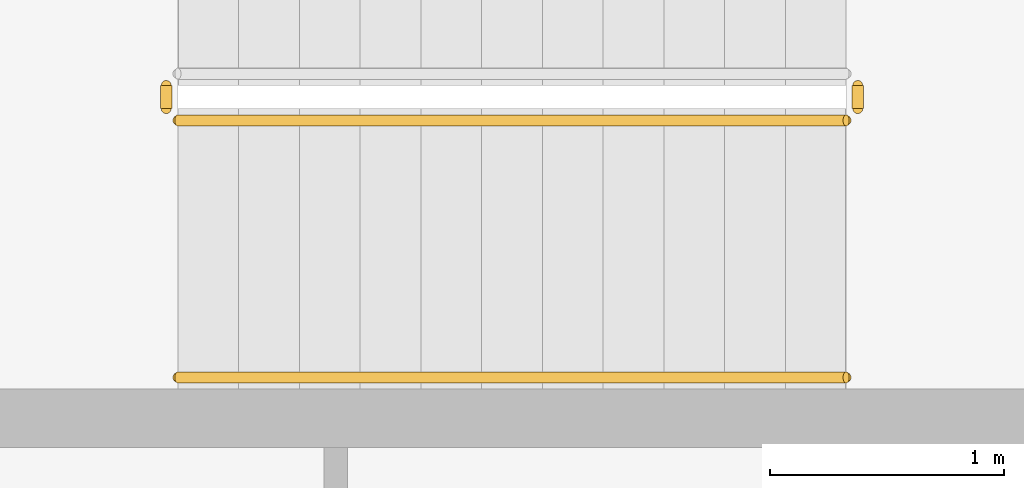
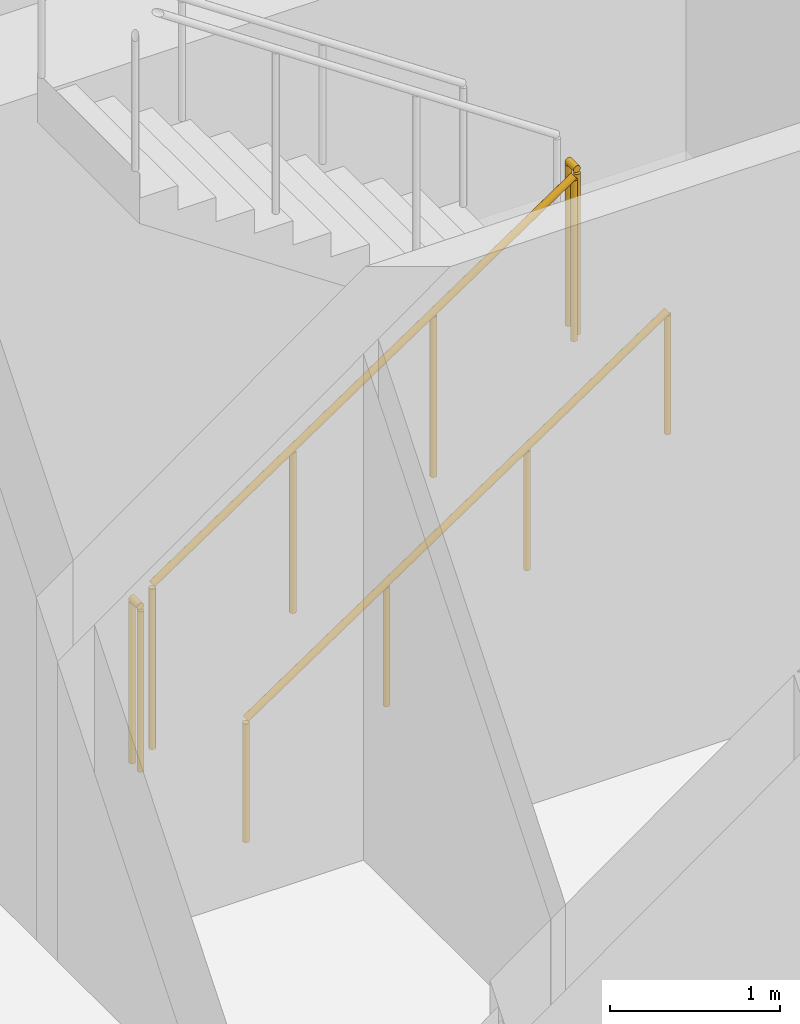
# One storey, part 21 of 25: 4 railings.
"""IFC4 building model written with IfcOpenShell, lengths in metres."""

import ifcopenshell
import ifcopenshell.guid

model = None  # the IFC model being written
_history = None  # IfcOwnerHistory: only IFC2X3 demands one
_inside = {}  # id of a spatial element -> (the spatial element, [elements in it])
_under = {}  # id of a project, library or spatial element -> (it, [spatial elements below it])
_declared = {}  # id of a project -> (the project, [libraries it declares])
_typed = {}  # id of a type object -> (the type object, [elements of that type])
_made_of = {}  # id of a material, layer set ... -> (it, [elements and type objects made of it])


def new_model(schema):
    """Start an empty IFC model of exactly this schema.

    Asked for "IFC4X3", IfcOpenShell would pick the latest addendum, in which some entities
    have other attributes; the version numbers below select the first issue.
    IFC2X3 requires an IfcOwnerHistory on every rooted entity: one is made here for all.
    """
    global model, _history
    if schema == "IFC4X3":
        model = ifcopenshell.file(schema_version=(4, 3, 0, 0))
    else:
        model = ifcopenshell.file(schema=schema)
    _inside.clear()
    _under.clear()
    _declared.clear()
    _typed.clear()
    _made_of.clear()
    _history = None
    if model.schema == "IFC2X3":
        org = make("IfcOrganization", Name="unknown")
        user = make(
            "IfcPersonAndOrganization",
            ThePerson=make("IfcPerson", FamilyName="unknown"),
            TheOrganization=org,
        )
        app = make(
            "IfcApplication",
            ApplicationDeveloper=org,
            Version="unknown",
            ApplicationFullName="unknown",
            ApplicationIdentifier="unknown",
        )
        _history = make(
            "IfcOwnerHistory",
            OwningUser=user,
            OwningApplication=app,
            ChangeAction="ADDED",
            CreationDate=0,
        )
    return model


def make(cls, **values):
    """One entity of the class cls with the attributes given. An attribute that is None is left unset."""
    return model.create_entity(
        cls, **{name: value for name, value in values.items() if value is not None}
    )


def rooted(cls, **values):
    """An entity with a GlobalId (a new one), such as an element, a storey or a relation."""
    return make(cls, GlobalId=ifcopenshell.guid.new(), OwnerHistory=_history, **values)


def si_unit(unit_type, name, prefix=None):
    """IfcSIUnit, for example si_unit("LENGTHUNIT", "METRE", prefix="MILLI")."""
    return make("IfcSIUnit", UnitType=unit_type, Prefix=prefix, Name=name)


def assignment(units):
    """IfcUnitAssignment: the units of a project."""
    return None if units is None else make("IfcUnitAssignment", Units=units)


def point(xyz):
    """IfcCartesianPoint."""
    return None if xyz is None else make("IfcCartesianPoint", Coordinates=xyz)


def direction(xyz):
    """IfcDirection."""
    return None if xyz is None else make("IfcDirection", DirectionRatios=xyz)


def frame(location, z_axis=None, x_axis=None):
    """IfcAxis2Placement3D, a coordinate frame: its origin and axes. An axis left out is left unset."""
    return make(
        "IfcAxis2Placement3D",
        Location=point(location),
        Axis=direction(z_axis),
        RefDirection=direction(x_axis),
    )


def frame_2d(location, x_axis=None):
    """IfcAxis2Placement2D, a coordinate frame in the plane: its origin and x axis."""
    return make(
        "IfcAxis2Placement2D", Location=point(location), RefDirection=direction(x_axis)
    )


def origin():
    """The frame at (0, 0, 0) with its axes left unset."""
    return frame((0.0, 0.0, 0.0))


def origin_2d():
    """The frame at (0, 0) in the plane with its x axis left unset."""
    return frame_2d((0.0, 0.0))


def place(relative_to, where):
    """IfcLocalPlacement: puts the frame where relative to a parent placement (None: the world)."""
    return make(
        "IfcLocalPlacement", PlacementRelTo=relative_to, RelativePlacement=where
    )


def context(
    kind, dimensions, precision=None, world=None, true_north=None, identifier=None
):
    """IfcGeometricRepresentationContext, for example the 3D "Model" context."""
    return make(
        "IfcGeometricRepresentationContext",
        ContextIdentifier=identifier,
        ContextType=kind,
        CoordinateSpaceDimension=dimensions,
        Precision=precision,
        WorldCoordinateSystem=world,
        TrueNorth=true_north,
    )


def subcontext(parent, identifier, kind, view, scale=None):
    """IfcGeometricRepresentationSubContext, for example "Body" below "Model"."""
    return make(
        "IfcGeometricRepresentationSubContext",
        ContextIdentifier=identifier,
        ContextType=kind,
        ParentContext=parent,
        TargetScale=scale,
        TargetView=view,
    )


def project(units=None, contexts=None):
    """IfcProject with its units and contexts."""
    return rooted(
        "IfcProject",
        Name="project",
        RepresentationContexts=contexts,
        UnitsInContext=assignment(units),
    )


def spatial(cls, under=None, at=None, **own):
    """A site, building, storey or space (cls), placed at a placement, below another one or the project."""
    s = rooted(cls, ObjectPlacement=at, **own)
    if under is not None:
        _under.setdefault(under.id(), (under, []))[1].append(s)
    return s


def profile(cls, at=None, kind="AREA", **sizes):
    """A parametric profile (cls). Its sizes go by their IFC names, for example OverallWidth=200.0."""
    return make(cls, ProfileType=kind, Position=at, **sizes)


def circle(**sizes):
    """IfcCircleProfileDef."""
    return profile("IfcCircleProfileDef", **sizes)


def extrude(swept, where, along, depth):
    """IfcExtrudedAreaSolid: the profile swept, set in the frame where, extruded along a direction by depth."""
    return make(
        "IfcExtrudedAreaSolid",
        SweptArea=swept,
        Position=where,
        ExtrudedDirection=direction(along),
        Depth=depth,
    )


def shape(context_of_items, identifier, shape_type, items):
    """IfcShapeRepresentation: the items that make up one representation, for example the "Body"."""
    return make(
        "IfcShapeRepresentation",
        ContextOfItems=context_of_items,
        RepresentationIdentifier=identifier,
        RepresentationType=shape_type,
        Items=items,
    )


def material(Name=None, Category=None):
    """IfcMaterial."""
    return make("IfcMaterial", Name=Name, Category=Category)


def made_of(thing, what):
    """Note that an element or type object is made of a material, layer set ...; save() writes the relation."""
    if what is not None:
        _made_of.setdefault(what.id(), (what, []))[1].append(thing)
    return thing


def type_object(cls, material=None, **own):
    """A type object (cls), such as IfcWallType, which elements share."""
    return made_of(rooted(cls, **own), material)


def element(
    cls,
    number,
    at=None,
    inside=None,
    cuts=None,
    type_object=None,
    material=None,
    context=None,
    identifier="Body",
    shape_type=None,
    held_by="IfcProductDefinitionShape",
    body=None,
    shapes=None,
    **own,
):
    """One element of the class cls, such as IfcWall. Its Tag is "e" and its number.

    at: its placement. inside: the storey or other place that contains it. cuts: it is an
    opening in that element (IfcRelVoidsElement). A single representation is given by context,
    identifier, shape_type and body (its items); several are given by shapes. held_by: the class
    of the entity that holds the representations. save() writes the other relations.
    """
    e = rooted(cls, Tag="e%d" % number, ObjectPlacement=at, **own)
    if body is not None:
        shapes = [shape(context, identifier, shape_type, body)]
    if shapes is not None:
        e.Representation = make(held_by, Representations=shapes)
    if inside is not None:
        _inside.setdefault(inside.id(), (inside, []))[1].append(e)
    if cuts is not None:
        rooted(
            "IfcRelVoidsElement", RelatingBuildingElement=cuts, RelatedOpeningElement=e
        )
    if type_object is not None:
        _typed.setdefault(type_object.id(), (type_object, []))[1].append(e)
    return made_of(e, material)


def aggregate(whole, parts):
    """IfcRelAggregates: a whole, such as a stair, and the parts it consists of."""
    return rooted("IfcRelAggregates", RelatingObject=whole, RelatedObjects=parts)


def save(model, path):
    """Write the relations noted so far, then the file.

    IfcRelAggregates (storeys below a building ...), IfcRelContainedInSpatialStructure (elements
    in a storey), IfcRelDefinesByType, IfcRelAssociatesMaterial and IfcRelDeclares: one each for
    every whole, place, type object, material and project.
    """
    for whole, parts in _under.values():
        aggregate(whole, parts)
    for where, things in _inside.values():
        rooted(
            "IfcRelContainedInSpatialStructure",
            RelatedElements=things,
            RelatingStructure=where,
        )
    for kind, things in _typed.values():
        rooted("IfcRelDefinesByType", RelatedObjects=things, RelatingType=kind)
    for what, things in _made_of.values():
        rooted("IfcRelAssociatesMaterial", RelatedObjects=things, RelatingMaterial=what)
    for by, libraries in _declared.values():
        rooted("IfcRelDeclares", RelatingContext=by, RelatedDefinitions=libraries)
    model.write(path)


model = new_model("IFC4")

# Units and contexts
model_context = context("Model", 3, precision=1e-05, world=origin(), true_north=direction((0.0, 1.0)))
body_context = subcontext(model_context, "Body", "Model", "MODEL_VIEW")
ifc_project = project(units=[si_unit("LENGTHUNIT", "METRE"), si_unit("AREAUNIT", "SQUARE_METRE"), si_unit("VOLUMEUNIT", "CUBIC_METRE"), si_unit("PLANEANGLEUNIT", "RADIAN"), si_unit("MASSUNIT", "GRAM", prefix="KILO")], contexts=[model_context])

# Site, building, storey
site_placement = place(None, origin())
site = spatial("IfcSite", under=ifc_project, at=site_placement, CompositionType="ELEMENT")
building_placement = place(site_placement, origin())
building = spatial("IfcBuilding", under=site, at=building_placement, Name="Sahrelin Media Tower", CompositionType="ELEMENT")
storey_placement = place(building_placement, frame((0.0, 0.0, 114.60009765625)))
storey = spatial("IfcBuildingStorey", under=building, at=storey_placement, Name="L22", CompositionType="ELEMENT", Elevation=114.60009765625)

# Railings
ifc_material = material(Name="Steel S355", Category="steel")
railing_type_1 = type_object("IfcRailingType", Name="Stair guard 1200", PredefinedType="GUARDRAIL", material=ifc_material)
railing_1_placement = place(storey_placement, frame((-7.675048828125, 5.25, 0.1748046875)))
element("IfcRailing", 1, at=railing_1_placement, inside=storey, type_object=railing_type_1, Name="L22 ST1 stair guard 1", PredefinedType="GUARDRAIL", context=body_context, shape_type="SweptSolid", body=[
    extrude(circle(Radius=0.02392578125, at=origin_2d()), frame((0.0, 0.0, 1.17578125), z_axis=(0.829590901723, 0.0, 0.558371682465), x_axis=(0.0, 1.0, 0.0)), (0.0, 0.0, 1.0), 3.447509765625),
    extrude(circle(Radius=0.02099609375, at=origin_2d()), origin(), (0.0, 0.0, 1.0), 1.15185546875),
    extrude(circle(Radius=0.02099609375, at=origin_2d()), frame((0.953369140625, 0.0, 0.6416015625)), (0.0, 0.0, 1.0), 1.15185546875),
    extrude(circle(Radius=0.02099609375, at=origin_2d()), frame((1.90673828125, 0.0, 1.283447265625)), (0.0, 0.0, 1.0), 1.15185546875),
    extrude(circle(Radius=0.02099609375, at=origin_2d()), frame((2.860107421875, 0.0, 1.925048828125)), (0.0, 0.0, 1.0), 1.15185546875),
])
for number, where, name in (
    (2, (-4.764892578125, 5.300048828125, 2.099853515625), "L22 ST1 stair guard 2"),
    (3, (-7.72509765625, 5.300048828125, 0.0), "L22 ST1 stair guard 4"),
):
    element("IfcRailing", number, at=place(storey_placement, frame(where)), inside=storey, type_object=railing_type_1, Name=name, PredefinedType="GUARDRAIL", context=body_context, shape_type="SweptSolid", body=[
        extrude(circle(Radius=0.02392578125, at=origin_2d()), frame((0.0, 0.0, 1.17578125), z_axis=(0.0, 1.0, 0.0), x_axis=(-1.0, 0.0, 0.0)), (0.0, 0.0, 1.0), 0.099853515625),
        extrude(circle(Radius=0.02099609375, at=origin_2d()), origin(), (0.0, 0.0, 1.0), 1.15185546875),
        extrude(circle(Radius=0.02099609375, at=origin_2d()), frame((0.0, 0.099853515625, 0.0)), (0.0, 0.0, 1.0), 1.15185546875),
    ])
railing_type_2 = type_object("IfcRailingType", Name="Stair handrail 900", PredefinedType="HANDRAIL", material=ifc_material)
railing_2_placement = place(storey_placement, frame((-7.675048828125, 4.14990234375, 0.1748046875)))
element("IfcRailing", 4, at=railing_2_placement, inside=storey, type_object=railing_type_2, Name="L22 ST1 stair handrail 1", PredefinedType="HANDRAIL", context=body_context, shape_type="SweptSolid", body=[
    extrude(circle(Radius=0.02392578125, at=origin_2d()), frame((0.0, 0.0, 0.8759765625), z_axis=(0.829590901723, 0.0, 0.558371682465), x_axis=(0.0, 1.0, 0.0)), (0.0, 0.0, 1.0), 3.447509765625),
    extrude(circle(Radius=0.02099609375, at=origin_2d()), origin(), (0.0, 0.0, 1.0), 0.851806640625),
    extrude(circle(Radius=0.02099609375, at=origin_2d()), frame((0.953369140625, 0.0, 0.6416015625)), (0.0, 0.0, 1.0), 0.851806640625),
    extrude(circle(Radius=0.02099609375, at=origin_2d()), frame((1.90673828125, 0.0, 1.283447265625)), (0.0, 0.0, 1.0), 0.851806640625),
    extrude(circle(Radius=0.02099609375, at=origin_2d()), frame((2.860107421875, 0.0, 1.925048828125)), (0.0, 0.0, 1.0), 0.851806640625),
])

save(model, "model.ifc")
